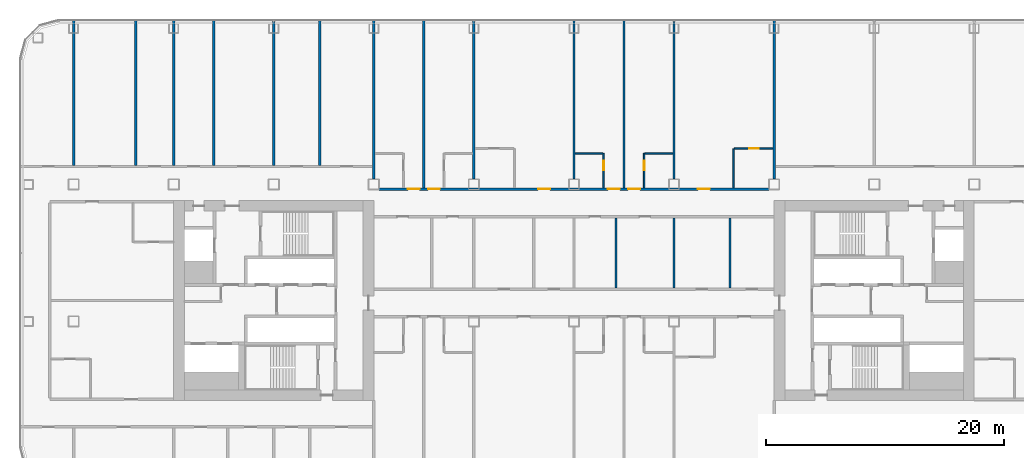
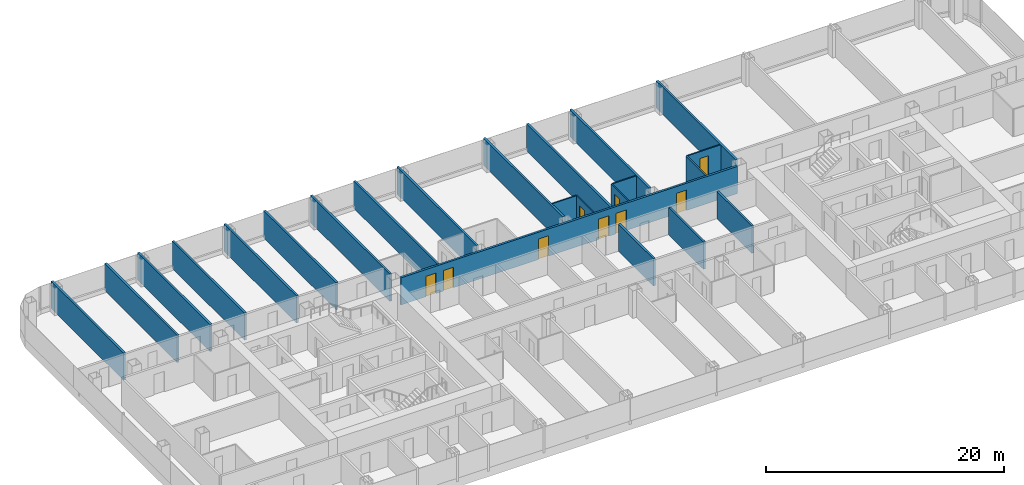
# One storey, part 18 of 29: 23 walls, 9 doors, 9 openings.
"""IFC4 building model written with IfcOpenShell, lengths in metres."""

from ifc_helpers import new_model, si_unit, direction, frame, frame_2d, origin, place, context, subcontext, project, spatial, rectangle, extrude, material, layer, layer_set, type_object, element, fill, save


model = new_model("IFC4")

# Units and contexts
model_context = context("Model", 3, precision=1e-05, world=origin(), true_north=direction((0.0, 1.0)))
body_context = subcontext(model_context, "Body", "Model", "MODEL_VIEW")
ifc_project = project(units=[si_unit("LENGTHUNIT", "METRE"), si_unit("AREAUNIT", "SQUARE_METRE"), si_unit("VOLUMEUNIT", "CUBIC_METRE"), si_unit("PLANEANGLEUNIT", "RADIAN"), si_unit("MASSUNIT", "GRAM", prefix="KILO")], contexts=[model_context])

# Site, building, storey
site_placement = place(None, origin())
site = spatial("IfcSite", under=ifc_project, at=site_placement, CompositionType="ELEMENT")
building_placement = place(site_placement, origin())
building = spatial("IfcBuilding", under=site, at=building_placement, Name="Hakoniwa Tower and Hamabe Station Hall", CompositionType="ELEMENT")
storey_placement = place(building_placement, frame((0.0, 0.0, 101.0)))
storey = spatial("IfcBuildingStorey", under=building, at=storey_placement, Name="L28", CompositionType="ELEMENT", Elevation=101.0)

# Walls
ifc_material_1 = material(Name="Gypsum board partition", Category="gypsum")
ifc_layer_1 = layer(ifc_material_1, 0.125)
ifc_layer_set_1 = layer_set([ifc_layer_1], Name="Bathroom Partition 125")
wall_type_1 = type_object("IfcWallType", Name="Bathroom Partition 125", PredefinedType="PARTITIONING", material=ifc_layer_set_1)
wall_1_placement = place(storey_placement, frame((0.10009765625, 12.35009765625, 0.0), z_axis=(0.0, 0.0, 1.0), x_axis=(1.0, 0.0, 0.0)))
element("IfcWall", 1, at=wall_1_placement, inside=storey, type_object=wall_type_1, Name="GW-L28-026", PredefinedType="PARTITIONING", context=body_context, shape_type="SweptSolid", body=[
    extrude(rectangle(XDim=2.33740234375, YDim=0.125, at=frame_2d((1.168701171875, 0.0))), origin(), (0.0, 0.0, 1.0), 2.800048828125),
])
wall_2_placement = place(storey_placement, frame((5.96240234375, 12.35009765625, 0.0), z_axis=(0.0, 0.0, 1.0), x_axis=(1.0, 0.0, 0.0)))
element("IfcWall", 2, at=wall_2_placement, inside=storey, type_object=wall_type_1, Name="GW-L28-027", PredefinedType="PARTITIONING", context=body_context, shape_type="SweptSolid", body=[
    extrude(rectangle(XDim=2.337646484375, YDim=0.125, at=frame_2d((1.1689453125, 0.0))), origin(), (0.0, 0.0, 1.0), 2.800048828125),
])

# Wall, opening, door
wall_3_placement = place(storey_placement, frame((13.46240234375, 12.75, 0.0), z_axis=(0.0, 0.0, 1.0), x_axis=(1.0, 0.0, 0.0)))
wall_3 = element("IfcWall", 3, at=wall_3_placement, inside=storey, type_object=wall_type_1, Name="GW-L28-029", PredefinedType="PARTITIONING", context=body_context, shape_type="SweptSolid", body=[
    extrude(rectangle(XDim=3.237548828125, YDim=0.125, at=frame_2d((1.61865234375, 0.0))), origin(), (0.0, 0.0, 1.0), 2.800048828125),
])
opening_1_placement = place(wall_3_placement, frame((1.237548828125, 0.0, 0.0)))
opening_1 = element("IfcOpeningElement", 4, at=opening_1_placement, cuts=wall_3, Name="Opening GD-G2D1-55", PredefinedType="OPENING", context=body_context, shape_type="SweptSolid", body=[
    extrude(rectangle(XDim=0.800048828125, YDim=2.10009765625, at=frame_2d((0.39990234375, 1.050048828125))), frame((0.0, 0.072509765625, 0.0), z_axis=(0.0, -1.0, 0.0), x_axis=(1.0, 0.0, 0.0)), (0.0, 0.0, 1.0), 0.14501953125),
])
ifc_material_2 = material(Name="Timber door leaf", Category="wood")
door_type_1 = type_object("IfcDoorType", Name="Bathroom Door 800", OperationType="SINGLE_SWING_LEFT", PredefinedType="DOOR", material=ifc_material_2)
door_1_placement = place(opening_1_placement, origin())
door_1 = element("IfcDoor", 5, at=door_1_placement, inside=storey, type_object=door_type_1, Name="Door GD-G2D1-55", OperationType="SINGLE_SWING_LEFT", OverallHeight=2.10009765625, OverallWidth=0.800048828125, PredefinedType="DOOR", context=body_context, shape_type="SweptSolid", body=[
    extrude(rectangle(XDim=0.800048828125, YDim=2.10009765625, at=frame_2d((0.39990234375, 1.050048828125))), frame((0.0, 0.02490234375, 0.0), z_axis=(0.0, -1.0, 0.0), x_axis=(1.0, 0.0, 0.0)), (0.0, 0.0, 1.0), 0.050048828125),
])
fill(opening_1, door_1)

wall_4_placement = place(storey_placement, frame((2.5, 9.449951171875, 0.0), z_axis=(0.0, 0.0, 1.0), x_axis=(0.0, 1.0, 0.0)))
wall_4 = element("IfcWall", 6, at=wall_4_placement, inside=storey, type_object=wall_type_1, Name="GW-L28-062", PredefinedType="PARTITIONING", context=body_context, shape_type="SweptSolid", body=[
    extrude(rectangle(XDim=2.900146484375, YDim=0.125, at=frame_2d((1.4501953125, 0.0))), origin(), (0.0, 0.0, 1.0), 2.800048828125),
])
opening_2_placement = place(wall_4_placement, frame((1.5, 0.0, 0.0)))
opening_2 = element("IfcOpeningElement", 7, at=opening_2_placement, cuts=wall_4, Name="Opening GD-G2D1-61", PredefinedType="OPENING", context=body_context, shape_type="SweptSolid", body=[
    extrude(rectangle(XDim=0.800048828125, YDim=2.10009765625, at=frame_2d((0.39990234375, 1.050048828125))), frame((0.0, 0.072509765625, 0.0), z_axis=(0.0, -1.0, 0.0), x_axis=(1.0, 0.0, 0.0)), (0.0, 0.0, 1.0), 0.14501953125),
])
door_2_placement = place(opening_2_placement, origin())
door_2 = element("IfcDoor", 8, at=door_2_placement, inside=storey, type_object=door_type_1, Name="Door GD-G2D1-61", OperationType="SINGLE_SWING_LEFT", OverallHeight=2.10009765625, OverallWidth=0.800048828125, PredefinedType="DOOR", context=body_context, shape_type="SweptSolid", body=[
    extrude(rectangle(XDim=0.800048828125, YDim=2.10009765625, at=frame_2d((0.39990234375, 1.050048828125))), frame((0.0, 0.02490234375, 0.0), z_axis=(0.0, -1.0, 0.0), x_axis=(1.0, 0.0, 0.0)), (0.0, 0.0, 1.0), 0.050048828125),
])
fill(opening_2, door_2)

wall_5_placement = place(storey_placement, frame((5.89990234375, 9.449951171875, 0.0), z_axis=(0.0, 0.0, 1.0), x_axis=(0.0, 1.0, 0.0)))
wall_5 = element("IfcWall", 9, at=wall_5_placement, inside=storey, type_object=wall_type_1, Name="GW-L28-067", PredefinedType="PARTITIONING", context=body_context, shape_type="SweptSolid", body=[
    extrude(rectangle(XDim=2.900146484375, YDim=0.125, at=frame_2d((1.4501953125, 0.0))), origin(), (0.0, 0.0, 1.0), 2.800048828125),
])
opening_3_placement = place(wall_5_placement, frame((1.5, 0.0, 0.0)))
opening_3 = element("IfcOpeningElement", 10, at=opening_3_placement, cuts=wall_5, Name="Opening GD-G2D1-63", PredefinedType="OPENING", context=body_context, shape_type="SweptSolid", body=[
    extrude(rectangle(XDim=0.800048828125, YDim=2.10009765625, at=frame_2d((0.39990234375, 1.050048828125))), frame((0.0, 0.072509765625, 0.0), z_axis=(0.0, -1.0, 0.0), x_axis=(1.0, 0.0, 0.0)), (0.0, 0.0, 1.0), 0.14501953125),
])
door_3_placement = place(opening_3_placement, origin())
door_3 = element("IfcDoor", 11, at=door_3_placement, inside=storey, type_object=door_type_1, Name="Door GD-G2D1-63", OperationType="SINGLE_SWING_RIGHT", OverallHeight=2.10009765625, OverallWidth=0.800048828125, PredefinedType="DOOR", context=body_context, shape_type="SweptSolid", body=[
    extrude(rectangle(XDim=0.800048828125, YDim=2.10009765625, at=frame_2d((0.39990234375, 1.050048828125))), frame((0.0, 0.02490234375, 0.0), z_axis=(0.0, -1.0, 0.0), x_axis=(1.0, 0.0, 0.0)), (0.0, 0.0, 1.0), 0.050048828125),
])
fill(opening_3, door_3)

# Wall
wall_6_placement = place(storey_placement, frame((13.39990234375, 9.449951171875, 0.0), z_axis=(0.0, 0.0, 1.0), x_axis=(0.0, 1.0, 0.0)))
element("IfcWall", 12, at=wall_6_placement, inside=storey, type_object=wall_type_1, Name="GW-L28-073", PredefinedType="PARTITIONING", context=body_context, shape_type="SweptSolid", body=[
    extrude(rectangle(XDim=3.300048828125, YDim=0.125, at=frame_2d((1.64990234375, 0.0))), origin(), (0.0, 0.0, 1.0), 2.800048828125),
])

# Wall, openings, doors
ifc_material_3 = material(Name="Fire-rated gypsum board partition", Category="gypsum")
ifc_layer_2 = layer(ifc_material_3, 0.199951171875)
ifc_layer_set_2 = layer_set([ifc_layer_2], Name="Corridor Wall 200")
wall_type_2 = type_object("IfcWallType", Name="Corridor Wall 200", PredefinedType="PARTITIONING", material=ifc_layer_set_2)
wall_7_placement = place(storey_placement, frame((-16.360107421875, 9.35009765625, 0.0), z_axis=(0.0, 0.0, 1.0), x_axis=(1.0, 0.0, 0.0)))
wall_7 = element("IfcWall", 13, at=wall_7_placement, inside=storey, type_object=wall_type_2, Name="GW-L28-021", PredefinedType="PARTITIONING", context=body_context, shape_type="SweptSolid", body=[
    extrude(rectangle(XDim=32.72021484375, YDim=0.199951171875, at=frame_2d((16.360107421875, 0.0))), origin(), (0.0, 0.0, 1.0), 2.800048828125),
])
opening_4_placement = place(wall_7_placement, frame((2.409912109375, 0.0, 0.0)))
opening_4 = element("IfcOpeningElement", 14, at=opening_4_placement, cuts=wall_7, Name="Opening GD-G2D1-37", PredefinedType="OPENING", context=body_context, shape_type="SweptSolid", body=[
    extrude(rectangle(XDim=1.0, YDim=2.10009765625, at=frame_2d((0.5, 1.050048828125))), frame((0.0, 0.10986328125, 0.0), z_axis=(0.0, -1.0, 0.0), x_axis=(1.0, 0.0, 0.0)), (0.0, 0.0, 1.0), 0.219970703125),
])
opening_5_placement = place(wall_7_placement, frame((4.110107421875, 0.0, 0.0)))
opening_5 = element("IfcOpeningElement", 15, at=opening_5_placement, cuts=wall_7, Name="Opening GD-G2D1-38", PredefinedType="OPENING", context=body_context, shape_type="SweptSolid", body=[
    extrude(rectangle(XDim=1.0, YDim=2.10009765625, at=frame_2d((0.5, 1.050048828125))), frame((0.0, 0.10986328125, 0.0), z_axis=(0.0, -1.0, 0.0), x_axis=(1.0, 0.0, 0.0)), (0.0, 0.0, 1.0), 0.219970703125),
])
opening_6_placement = place(wall_7_placement, frame((13.360107421875, 0.0, 0.0)))
opening_6 = element("IfcOpeningElement", 16, at=opening_6_placement, cuts=wall_7, Name="Opening GD-G2D1-39", PredefinedType="OPENING", context=body_context, shape_type="SweptSolid", body=[
    extrude(rectangle(XDim=1.0, YDim=2.10009765625, at=frame_2d((0.5, 1.050048828125))), frame((0.0, 0.10986328125, 0.0), z_axis=(0.0, -1.0, 0.0), x_axis=(1.0, 0.0, 0.0)), (0.0, 0.0, 1.0), 0.219970703125),
])
opening_7_placement = place(wall_7_placement, frame((19.2099609375, 0.0, 0.0)))
opening_7 = element("IfcOpeningElement", 17, at=opening_7_placement, cuts=wall_7, Name="Opening GD-G2D1-40", PredefinedType="OPENING", context=body_context, shape_type="SweptSolid", body=[
    extrude(rectangle(XDim=1.0, YDim=2.10009765625, at=frame_2d((0.5, 1.050048828125))), frame((0.0, 0.10986328125, 0.0), z_axis=(0.0, -1.0, 0.0), x_axis=(1.0, 0.0, 0.0)), (0.0, 0.0, 1.0), 0.219970703125),
])
opening_8_placement = place(wall_7_placement, frame((20.909912109375, 0.0, 0.0)))
opening_8 = element("IfcOpeningElement", 18, at=opening_8_placement, cuts=wall_7, Name="Opening GD-G2D1-41", PredefinedType="OPENING", context=body_context, shape_type="SweptSolid", body=[
    extrude(rectangle(XDim=1.0, YDim=2.10009765625, at=frame_2d((0.5, 1.050048828125))), frame((0.0, 0.10986328125, 0.0), z_axis=(0.0, -1.0, 0.0), x_axis=(1.0, 0.0, 0.0)), (0.0, 0.0, 1.0), 0.219970703125),
])
opening_9_placement = place(wall_7_placement, frame((26.760009765625, 0.0, 0.0)))
opening_9 = element("IfcOpeningElement", 19, at=opening_9_placement, cuts=wall_7, Name="Opening GD-G2D1-42", PredefinedType="OPENING", context=body_context, shape_type="SweptSolid", body=[
    extrude(rectangle(XDim=1.0, YDim=2.10009765625, at=frame_2d((0.5, 1.050048828125))), frame((0.0, 0.10986328125, 0.0), z_axis=(0.0, -1.0, 0.0), x_axis=(1.0, 0.0, 0.0)), (0.0, 0.0, 1.0), 0.219970703125),
])
ifc_material_4 = material(Name="Timber door leaf", Category="wood")
door_type_2 = type_object("IfcDoorType", Name="Guest Entrance Door 1000", OperationType="SINGLE_SWING_LEFT", PredefinedType="DOOR", material=ifc_material_4)
door_4_placement = place(opening_4_placement, origin())
door_4 = element("IfcDoor", 20, at=door_4_placement, inside=storey, type_object=door_type_2, Name="Door GD-G2D1-37", OperationType="SINGLE_SWING_RIGHT", OverallHeight=2.10009765625, OverallWidth=1.0, PredefinedType="DOOR", context=body_context, shape_type="SweptSolid", body=[
    extrude(rectangle(XDim=1.0, YDim=2.10009765625, at=frame_2d((0.5, 1.050048828125))), frame((0.0, 0.02490234375, 0.0), z_axis=(0.0, -1.0, 0.0), x_axis=(1.0, 0.0, 0.0)), (0.0, 0.0, 1.0), 0.050048828125),
])
fill(opening_4, door_4)
door_5_placement = place(opening_5_placement, origin())
door_5 = element("IfcDoor", 21, at=door_5_placement, inside=storey, type_object=door_type_2, Name="Door GD-G2D1-38", OperationType="SINGLE_SWING_LEFT", OverallHeight=2.10009765625, OverallWidth=1.0, PredefinedType="DOOR", context=body_context, shape_type="SweptSolid", body=[
    extrude(rectangle(XDim=1.0, YDim=2.10009765625, at=frame_2d((0.5, 1.050048828125))), frame((0.0, 0.02490234375, 0.0), z_axis=(0.0, -1.0, 0.0), x_axis=(1.0, 0.0, 0.0)), (0.0, 0.0, 1.0), 0.050048828125),
])
fill(opening_5, door_5)
door_6_placement = place(opening_6_placement, origin())
door_6 = element("IfcDoor", 22, at=door_6_placement, inside=storey, type_object=door_type_2, Name="Door GD-G2D1-39", OperationType="SINGLE_SWING_RIGHT", OverallHeight=2.10009765625, OverallWidth=1.0, PredefinedType="DOOR", context=body_context, shape_type="SweptSolid", body=[
    extrude(rectangle(XDim=1.0, YDim=2.10009765625, at=frame_2d((0.5, 1.050048828125))), frame((0.0, 0.02490234375, 0.0), z_axis=(0.0, -1.0, 0.0), x_axis=(1.0, 0.0, 0.0)), (0.0, 0.0, 1.0), 0.050048828125),
])
fill(opening_6, door_6)
door_7_placement = place(opening_7_placement, origin())
door_7 = element("IfcDoor", 23, at=door_7_placement, inside=storey, type_object=door_type_2, Name="Door GD-G2D1-40", OperationType="SINGLE_SWING_RIGHT", OverallHeight=2.10009765625, OverallWidth=1.0, PredefinedType="DOOR", context=body_context, shape_type="SweptSolid", body=[
    extrude(rectangle(XDim=1.0, YDim=2.10009765625, at=frame_2d((0.5, 1.050048828125))), frame((0.0, 0.02490234375, 0.0), z_axis=(0.0, -1.0, 0.0), x_axis=(1.0, 0.0, 0.0)), (0.0, 0.0, 1.0), 0.050048828125),
])
fill(opening_7, door_7)
door_8_placement = place(opening_8_placement, origin())
door_8 = element("IfcDoor", 24, at=door_8_placement, inside=storey, type_object=door_type_2, Name="Door GD-G2D1-41", OperationType="SINGLE_SWING_LEFT", OverallHeight=2.10009765625, OverallWidth=1.0, PredefinedType="DOOR", context=body_context, shape_type="SweptSolid", body=[
    extrude(rectangle(XDim=1.0, YDim=2.10009765625, at=frame_2d((0.5, 1.050048828125))), frame((0.0, 0.02490234375, 0.0), z_axis=(0.0, -1.0, 0.0), x_axis=(1.0, 0.0, 0.0)), (0.0, 0.0, 1.0), 0.050048828125),
])
fill(opening_8, door_8)
door_9_placement = place(opening_9_placement, origin())
door_9 = element("IfcDoor", 25, at=door_9_placement, inside=storey, type_object=door_type_2, Name="Door GD-G2D1-42", OperationType="SINGLE_SWING_RIGHT", OverallHeight=2.10009765625, OverallWidth=1.0, PredefinedType="DOOR", context=body_context, shape_type="SweptSolid", body=[
    extrude(rectangle(XDim=1.0, YDim=2.10009765625, at=frame_2d((0.5, 1.050048828125))), frame((0.0, 0.02490234375, 0.0), z_axis=(0.0, -1.0, 0.0), x_axis=(1.0, 0.0, 0.0)), (0.0, 0.0, 1.0), 0.050048828125),
])
fill(opening_9, door_9)

# Walls
ifc_material_5 = material(Name="Fire-rated gypsum board partition", Category="gypsum")
ifc_layer_3 = layer(ifc_material_5, 0.199951171875)
ifc_layer_set_3 = layer_set([ifc_layer_3], Name="Party Wall 200")
wall_type_3 = type_object("IfcWallType", Name="Party Wall 200", PredefinedType="PARTITIONING", material=ifc_layer_set_3)
for number, where, z_axis, x_axis, name in (
    (26, (-42.0, 11.35009765625, 0.0), (0.0, 0.0, 1.0), (0.0, 1.0, 0.0), "GW-L28-032"),
    (27, (-36.7900390625, 11.35009765625, 0.0), (0.0, 0.0, 1.0), (0.0, 1.0, 0.0), "GW-L28-035"),
    (28, (-33.60009765625, 11.35009765625, 0.0), (0.0, 0.0, 1.0), (0.0, 1.0, 0.0), "GW-L28-037"),
    (29, (-30.239990234375, 11.35009765625, 0.0), (0.0, 0.0, 1.0), (0.0, 1.0, 0.0), "GW-L28-038"),
    (30, (-25.199951171875, 11.35009765625, 0.0), (0.0, 0.0, 1.0), (0.0, 1.0, 0.0), "GW-L28-041"),
    (31, (-21.340087890625, 11.35009765625, 0.0), (0.0, 0.0, 1.0), (0.0, 1.0, 0.0), "GW-L28-043"),
):
    element("IfcWall", number, at=place(storey_placement, frame(where, z_axis=z_axis, x_axis=x_axis)), inside=storey, type_object=wall_type_3, Name=name, PredefinedType="PARTITIONING", context=body_context, shape_type="SweptSolid", body=[
        extrude(rectangle(XDim=12.199951171875, YDim=0.199951171875, at=frame_2d((6.10009765625, 0.0))), origin(), (0.0, 0.0, 1.0), 2.800048828125),
    ])
wall_8_placement = place(storey_placement, frame((-16.800048828125, 10.18994140625, 0.0), z_axis=(0.0, 0.0, 1.0), x_axis=(0.0, 1.0, 0.0)))
element("IfcWall", 32, at=wall_8_placement, inside=storey, type_object=wall_type_3, Name="GW-L28-045", PredefinedType="PARTITIONING", context=body_context, shape_type="SweptSolid", body=[
    extrude(rectangle(XDim=13.360107421875, YDim=0.199951171875, at=frame_2d((6.68017578125, 0.0))), origin(), (0.0, 0.0, 1.0), 2.800048828125),
])
wall_9_placement = place(storey_placement, frame((-12.60009765625, 9.449951171875, 0.0), z_axis=(0.0, 0.0, 1.0), x_axis=(0.0, 1.0, 0.0)))
element("IfcWall", 33, at=wall_9_placement, inside=storey, type_object=wall_type_3, Name="GW-L28-049", PredefinedType="PARTITIONING", context=body_context, shape_type="SweptSolid", body=[
    extrude(rectangle(XDim=14.10009765625, YDim=0.199951171875, at=frame_2d((7.050048828125, 0.0))), origin(), (0.0, 0.0, 1.0), 2.800048828125),
])
for number, where, z_axis, x_axis, name in (
    (34, (-8.39990234375, 10.18994140625, 0.0), (0.0, 0.0, 1.0), (0.0, 1.0, 0.0), "GW-L28-055"),
    (35, (0.0, 10.18994140625, 0.0), (0.0, 0.0, 1.0), (0.0, 1.0, 0.0), "GW-L28-060"),
):
    element("IfcWall", number, at=place(storey_placement, frame(where, z_axis=z_axis, x_axis=x_axis)), inside=storey, type_object=wall_type_3, Name=name, PredefinedType="PARTITIONING", context=body_context, shape_type="SweptSolid", body=[
        extrude(rectangle(XDim=13.360107421875, YDim=0.199951171875, at=frame_2d((6.68017578125, 0.0))), origin(), (0.0, 0.0, 1.0), 2.800048828125),
    ])
wall_10_placement = place(storey_placement, frame((3.530029296875, 1.050048828125, 0.0), z_axis=(0.0, 0.0, 1.0), x_axis=(0.0, 1.0, 0.0)))
element("IfcWall", 36, at=wall_10_placement, inside=storey, type_object=wall_type_3, Name="GW-L28-063", PredefinedType="PARTITIONING", context=body_context, shape_type="SweptSolid", body=[
    extrude(rectangle(XDim=5.89990234375, YDim=0.199951171875, at=frame_2d((2.949951171875, 0.0))), origin(), (0.0, 0.0, 1.0), 2.800048828125),
])
wall_11_placement = place(storey_placement, frame((4.199951171875, 9.449951171875, 0.0), z_axis=(0.0, 0.0, 1.0), x_axis=(0.0, 1.0, 0.0)))
element("IfcWall", 37, at=wall_11_placement, inside=storey, type_object=wall_type_3, Name="GW-L28-065", PredefinedType="PARTITIONING", context=body_context, shape_type="SweptSolid", body=[
    extrude(rectangle(XDim=14.10009765625, YDim=0.199951171875, at=frame_2d((7.050048828125, 0.0))), origin(), (0.0, 0.0, 1.0), 2.800048828125),
])
wall_12_placement = place(storey_placement, frame((8.39990234375, 1.050048828125, 0.0), z_axis=(0.0, 0.0, 1.0), x_axis=(0.0, 1.0, 0.0)))
element("IfcWall", 38, at=wall_12_placement, inside=storey, type_object=wall_type_3, Name="GW-L28-069", PredefinedType="PARTITIONING", context=body_context, shape_type="SweptSolid", body=[
    extrude(rectangle(XDim=5.89990234375, YDim=0.199951171875, at=frame_2d((2.949951171875, 0.0))), origin(), (0.0, 0.0, 1.0), 2.800048828125),
])
wall_13_placement = place(storey_placement, frame((8.39990234375, 10.18994140625, 0.0), z_axis=(0.0, 0.0, 1.0), x_axis=(0.0, 1.0, 0.0)))
element("IfcWall", 39, at=wall_13_placement, inside=storey, type_object=wall_type_3, Name="GW-L28-070", PredefinedType="PARTITIONING", context=body_context, shape_type="SweptSolid", body=[
    extrude(rectangle(XDim=13.360107421875, YDim=0.199951171875, at=frame_2d((6.68017578125, 0.0))), origin(), (0.0, 0.0, 1.0), 2.800048828125),
])
wall_14_placement = place(storey_placement, frame((13.10009765625, 1.050048828125, 0.0), z_axis=(0.0, 0.0, 1.0), x_axis=(0.0, 1.0, 0.0)))
element("IfcWall", 40, at=wall_14_placement, inside=storey, type_object=wall_type_3, Name="GW-L28-072", PredefinedType="PARTITIONING", context=body_context, shape_type="SweptSolid", body=[
    extrude(rectangle(XDim=5.89990234375, YDim=0.199951171875, at=frame_2d((2.949951171875, 0.0))), origin(), (0.0, 0.0, 1.0), 2.800048828125),
])
wall_15_placement = place(storey_placement, frame((16.800048828125, 10.18994140625, 0.0), z_axis=(0.0, 0.0, 1.0), x_axis=(0.0, 1.0, 0.0)))
element("IfcWall", 41, at=wall_15_placement, inside=storey, type_object=wall_type_3, Name="GW-L28-075", PredefinedType="PARTITIONING", context=body_context, shape_type="SweptSolid", body=[
    extrude(rectangle(XDim=13.360107421875, YDim=0.199951171875, at=frame_2d((6.68017578125, 0.0))), origin(), (0.0, 0.0, 1.0), 2.800048828125),
])

save(model, "model.ifc")
